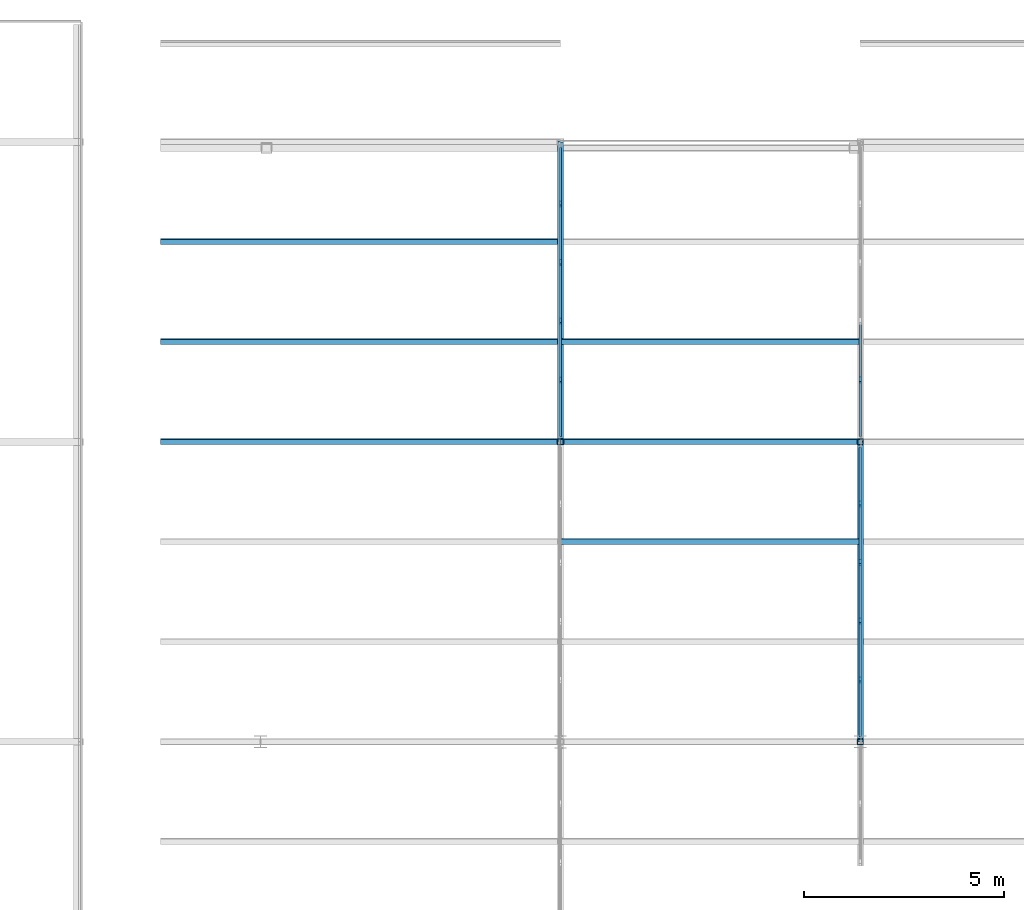
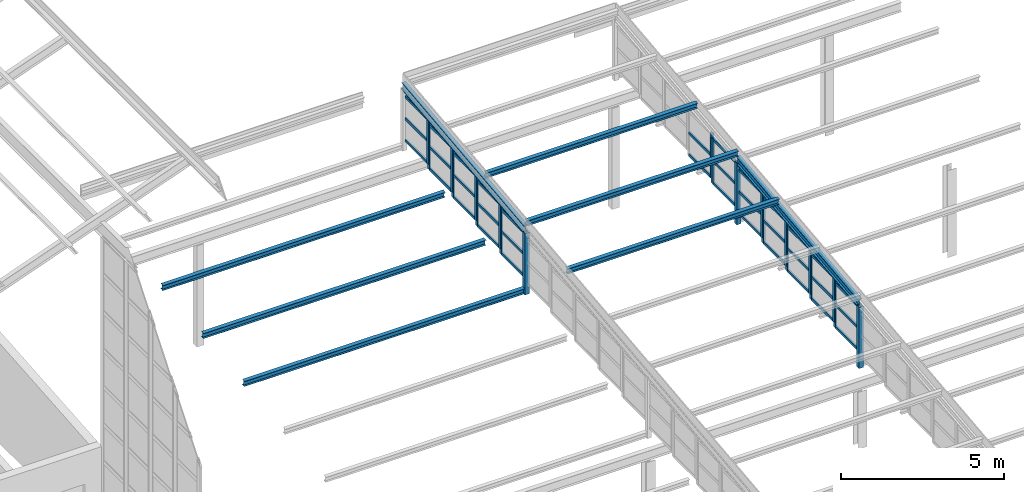
# One storey, part 62 of 483: 62 members, 2 beams, 12 elements without a shape of their own.
"""IFC4 building model written with IfcOpenShell, lengths in metres."""

from ifc_helpers import new_model, si_unit, direction, frame, origin, origin_2d, place, context, subcontext, project, spatial, rectangle, hollow_rectangle, i_section, extrude, material, material_profile, profile_set, type_object, element, aggregate, save


model = new_model("IFC4")

# Units and contexts
model_context = context("Model", 3, precision=1e-05, world=origin(), true_north=direction((0.0, 1.0)))
body_context = subcontext(model_context, "Body", "Model", "MODEL_VIEW")
ifc_project = project(units=[si_unit("LENGTHUNIT", "METRE"), si_unit("AREAUNIT", "SQUARE_METRE"), si_unit("VOLUMEUNIT", "CUBIC_METRE"), si_unit("PLANEANGLEUNIT", "RADIAN"), si_unit("MASSUNIT", "GRAM", prefix="KILO")], contexts=[model_context])

# Site, building, storey
site_placement = place(None, origin())
site = spatial("IfcSite", under=ifc_project, at=site_placement, CompositionType="ELEMENT")
building_placement = place(site_placement, origin())
building = spatial("IfcBuilding", under=site, at=building_placement, Name="Parallax Yard Mobility Hub", CompositionType="ELEMENT")
storey_placement = place(building_placement, frame((0.0, 0.0, 13.199951171875)))
storey = spatial("IfcBuildingStorey", under=building, at=storey_placement, Name="L04", CompositionType="ELEMENT", Elevation=13.199951171875)

# Beams
ifc_material_1 = material(Name="Steel ASTM A992", Category="steel")
ifc_material_profile_1 = material_profile(ifc_material_1, i_section(OverallWidth=0.14794921875, OverallDepth=0.26611328125, WebThickness=0.007568359375, FlangeThickness=0.012939453125, at=origin_2d()), Name="W250x45")
ifc_profile_set_1 = profile_set([ifc_material_profile_1], Name="Steel ASTM A992")
beam_type = type_object("IfcBeamType", Name="Monitor girder W250x45", PredefinedType="BEAM", material=ifc_profile_set_1)
for number, where, z_axis, x_axis, name in (
    (1, (157.5, 45.0146484375, 6.18310546875), (0.0, 0.993884918264, 0.110420873243), (-1.0, 0.0, 0.0), "Monitor girder at x 157.5 bay 6"),
    (2, (165.0, 37.5146484375, 5.349853515625), (0.0, 0.993884918264, 0.110420873243), (-1.0, 0.0, 0.0), "Monitor girder at x 165 bay 5"),
):
    element("IfcBeam", number, at=place(storey_placement, frame(where, z_axis=z_axis, x_axis=x_axis)), inside=storey, type_object=beam_type, Name=name, PredefinedType="BEAM", context=body_context, shape_type="SweptSolid", body=[
        extrude(i_section(OverallWidth=0.14794921875, OverallDepth=0.26611328125, WebThickness=0.007568359375, FlangeThickness=0.012939453125, at=origin_2d()), origin(), (0.0, 0.0, 1.0), 7.546142578125),
    ])

# Members
ifc_material_2 = material(Name="Steel ASTM A500 Gr C", Category="steel")
ifc_material_profile_2 = material_profile(ifc_material_2, hollow_rectangle(XDim=0.15234375, YDim=0.15234375, WallThickness=0.009521484375, at=origin_2d()), Name="HSS152x152x9.5")
ifc_profile_set_2 = profile_set([ifc_material_profile_2], Name="Steel ASTM A500 Gr C")
member_type_1 = type_object("IfcMemberType", Name="Monitor post HSS152x152x9.5", PredefinedType="POST", material=ifc_profile_set_2)
member_1_placement = place(storey_placement, frame((157.5, 45.0, 3.783935546875), z_axis=(0.0, 0.0, 1.0), x_axis=(1.0, 0.0, 0.0)))
element("IfcMember", 3, at=member_1_placement, inside=storey, type_object=member_type_1, Name="Monitor post at x 157.5 y 45", PredefinedType="POST", context=body_context, shape_type="SweptSolid", body=[
    extrude(hollow_rectangle(XDim=0.15234375, YDim=0.15234375, WallThickness=0.009521484375, at=origin_2d()), origin(), (0.0, 0.0, 1.0), 2.29541015625),
])
member_2_placement = place(storey_placement, frame((165.0, 37.5, 2.95068359375), z_axis=(0.0, 0.0, 1.0), x_axis=(1.0, 0.0, 0.0)))
element("IfcMember", 4, at=member_2_placement, inside=storey, type_object=member_type_1, Name="Monitor post at x 165 y 37.5", PredefinedType="POST", context=body_context, shape_type="SweptSolid", body=[
    extrude(hollow_rectangle(XDim=0.15234375, YDim=0.15234375, WallThickness=0.009521484375, at=origin_2d()), origin(), (0.0, 0.0, 1.0), 2.295166015625),
])
member_3_placement = place(storey_placement, frame((165.0, 45.0, 3.783935546875), z_axis=(0.0, 0.0, 1.0), x_axis=(1.0, 0.0, 0.0)))
element("IfcMember", 5, at=member_3_placement, inside=storey, type_object=member_type_1, Name="Monitor post at x 165 y 45", PredefinedType="POST", context=body_context, shape_type="SweptSolid", body=[
    extrude(hollow_rectangle(XDim=0.15234375, YDim=0.15234375, WallThickness=0.009521484375, at=origin_2d()), origin(), (0.0, 0.0, 1.0), 2.29541015625),
])

# Curtain wall, member
ifc_material_3 = material(Name="Thermally broken aluminium curtain wall system", Category="aluminium")
curtain_wall_type = type_object("IfcCurtainWallType", Name="Clerestory glazing run 60 x 120 frame", PredefinedType="NOTDEFINED", material=ifc_material_3)
curtain_wall_1_placement = place(storey_placement, origin())
curtain_wall_1 = element("IfcCurtainWall", 6, at=curtain_wall_1_placement, inside=storey, type_object=curtain_wall_type, Name="Clerestory glazing run Bicycle and shared-mobility hall roof step 1 bay 6 level L02", PredefinedType="NOTDEFINED")
ifc_material_4 = material(Name="Extruded aluminium", Category="aluminium")
ifc_material_profile_3 = material_profile(ifc_material_4, rectangle(XDim=0.06005859375, YDim=0.1201171875, at=origin_2d()), Name="Mullion 60 x 120")
ifc_profile_set_3 = profile_set([ifc_material_profile_3], Name="Extruded aluminium")
member_type_2 = type_object("IfcMemberType", Name="Mullion 60 x 120", PredefinedType="MULLION", material=ifc_profile_set_3)
member_4_placement = place(storey_placement, frame((157.5, 46.515625, 4.35498046875), z_axis=(0.0, 0.0, 1.0), x_axis=(-1.0, 0.0, 0.0)))
member_4 = element("IfcMember", 7, at=member_4_placement, type_object=member_type_2, Name="CW4 mullion 2", PredefinedType="MULLION", context=body_context, shape_type="SweptSolid", body=[
    extrude(rectangle(XDim=0.06005859375, YDim=0.1201171875, at=origin_2d()), origin(), (0.0, 0.0, 1.0), 1.6943359375),
])

# Curtain wall, members
curtain_wall_2_placement = place(storey_placement, origin())
curtain_wall_2 = element("IfcCurtainWall", 8, at=curtain_wall_2_placement, inside=storey, type_object=curtain_wall_type, Name="Clerestory glazing run Bicycle and shared-mobility hall roof step 1 bay 6 level L02", PredefinedType="NOTDEFINED")
member_5_placement = place(storey_placement, frame((157.5, 46.57568359375, 4.518310546875), z_axis=(0.0, 0.0, 1.0), x_axis=(-1.0, 0.0, 0.0)))
member_5 = element("IfcMember", 9, at=member_5_placement, type_object=member_type_2, Name="CW4 mullion 1", PredefinedType="MULLION", context=body_context, shape_type="SweptSolid", body=[
    extrude(rectangle(XDim=0.06005859375, YDim=0.1201171875, at=origin_2d()), origin(), (0.0, 0.0, 1.0), 1.697509765625),
])
member_6_placement = place(storey_placement, frame((157.5, 47.985107421875, 4.518310546875), z_axis=(0.0, 0.0, 1.0), x_axis=(-1.0, 0.0, 0.0)))
member_6 = element("IfcMember", 10, at=member_6_placement, type_object=member_type_2, Name="CW4 mullion 2", PredefinedType="MULLION", context=body_context, shape_type="SweptSolid", body=[
    extrude(rectangle(XDim=0.06005859375, YDim=0.1201171875, at=origin_2d()), origin(), (0.0, 0.0, 1.0), 1.697509765625),
])

curtain_wall_3_placement = place(storey_placement, origin())
curtain_wall_3 = element("IfcCurtainWall", 11, at=curtain_wall_3_placement, inside=storey, type_object=curtain_wall_type, Name="Clerestory glazing run Bicycle and shared-mobility hall roof step 1 bay 6 level L02", PredefinedType="NOTDEFINED")
member_7_placement = place(storey_placement, frame((157.5, 48.045166015625, 4.681396484375), z_axis=(0.0, 0.0, 1.0), x_axis=(-1.0, 0.0, 0.0)))
member_7 = element("IfcMember", 12, at=member_7_placement, type_object=member_type_2, Name="CW4 mullion 1", PredefinedType="MULLION", context=body_context, shape_type="SweptSolid", body=[
    extrude(rectangle(XDim=0.06005859375, YDim=0.1201171875, at=origin_2d()), origin(), (0.0, 0.0, 1.0), 1.701171875),
])
member_8_placement = place(storey_placement, frame((157.5, 49.454833984375, 4.681396484375), z_axis=(0.0, 0.0, 1.0), x_axis=(-1.0, 0.0, 0.0)))
member_8 = element("IfcMember", 13, at=member_8_placement, type_object=member_type_2, Name="CW4 mullion 2", PredefinedType="MULLION", context=body_context, shape_type="SweptSolid", body=[
    extrude(rectangle(XDim=0.06005859375, YDim=0.1201171875, at=origin_2d()), origin(), (0.0, 0.0, 1.0), 1.701171875),
])

curtain_wall_4_placement = place(storey_placement, origin())
curtain_wall_4 = element("IfcCurtainWall", 14, at=curtain_wall_4_placement, inside=storey, type_object=curtain_wall_type, Name="Clerestory glazing run Bicycle and shared-mobility hall roof step 1 bay 6 level L02", PredefinedType="NOTDEFINED")
member_9_placement = place(storey_placement, frame((157.5, 49.514892578125, 4.8447265625), z_axis=(0.0, 0.0, 1.0), x_axis=(-1.0, 0.0, 0.0)))
member_9 = element("IfcMember", 15, at=member_9_placement, type_object=member_type_2, Name="CW4 mullion 1", PredefinedType="MULLION", context=body_context, shape_type="SweptSolid", body=[
    extrude(rectangle(XDim=0.06005859375, YDim=0.1201171875, at=origin_2d()), origin(), (0.0, 0.0, 1.0), 1.693359375),
])
member_10_placement = place(storey_placement, frame((157.5, 50.92431640625, 4.8447265625), z_axis=(0.0, 0.0, 1.0), x_axis=(-1.0, 0.0, 0.0)))
member_10 = element("IfcMember", 16, at=member_10_placement, type_object=member_type_2, Name="CW4 mullion 2", PredefinedType="MULLION", context=body_context, shape_type="SweptSolid", body=[
    extrude(rectangle(XDim=0.06005859375, YDim=0.1201171875, at=origin_2d()), origin(), (0.0, 0.0, 1.0), 1.693359375),
])

# Curtain wall, member
curtain_wall_5_placement = place(storey_placement, origin())
curtain_wall_5 = element("IfcCurtainWall", 17, at=curtain_wall_5_placement, inside=storey, type_object=curtain_wall_type, Name="Clerestory glazing run Bicycle and shared-mobility hall roof step 1 bay 6 level L02", PredefinedType="NOTDEFINED")
member_11_placement = place(storey_placement, frame((157.5, 50.984375, 5.008056640625), z_axis=(0.0, 0.0, 1.0), x_axis=(-1.0, 0.0, 0.0)))
member_11 = element("IfcMember", 18, at=member_11_placement, type_object=member_type_2, Name="CW4 mullion 1", PredefinedType="MULLION", context=body_context, shape_type="SweptSolid", body=[
    extrude(rectangle(XDim=0.06005859375, YDim=0.1201171875, at=origin_2d()), origin(), (0.0, 0.0, 1.0), 1.69677734375),
])

curtain_wall_6_placement = place(storey_placement, origin())
curtain_wall_6 = element("IfcCurtainWall", 19, at=curtain_wall_6_placement, inside=storey, type_object=curtain_wall_type, Name="Clerestory glazing run Bicycle and shared-mobility hall roof step 2 bay 5 level L02", PredefinedType="NOTDEFINED")
member_12_placement = place(storey_placement, frame((165.0, 39.015625, 3.521728515625), z_axis=(0.0, 0.0, 1.0), x_axis=(-1.0, 0.0, 0.0)))
member_12 = element("IfcMember", 20, at=member_12_placement, type_object=member_type_2, Name="CW4 mullion 2", PredefinedType="MULLION", context=body_context, shape_type="SweptSolid", body=[
    extrude(rectangle(XDim=0.06005859375, YDim=0.1201171875, at=origin_2d()), origin(), (0.0, 0.0, 1.0), 1.6943359375),
])

# Curtain wall, members
curtain_wall_7_placement = place(storey_placement, origin())
curtain_wall_7 = element("IfcCurtainWall", 21, at=curtain_wall_7_placement, inside=storey, type_object=curtain_wall_type, Name="Clerestory glazing run Bicycle and shared-mobility hall roof step 2 bay 5 level L02", PredefinedType="NOTDEFINED")
member_13_placement = place(storey_placement, frame((165.0, 39.07568359375, 3.684814453125), z_axis=(0.0, 0.0, 1.0), x_axis=(-1.0, 0.0, 0.0)))
member_13 = element("IfcMember", 22, at=member_13_placement, type_object=member_type_2, Name="CW4 mullion 1", PredefinedType="MULLION", context=body_context, shape_type="SweptSolid", body=[
    extrude(rectangle(XDim=0.06005859375, YDim=0.1201171875, at=origin_2d()), origin(), (0.0, 0.0, 1.0), 1.69775390625),
])
member_14_placement = place(storey_placement, frame((165.0, 40.485107421875, 3.684814453125), z_axis=(0.0, 0.0, 1.0), x_axis=(-1.0, 0.0, 0.0)))
member_14 = element("IfcMember", 23, at=member_14_placement, type_object=member_type_2, Name="CW4 mullion 2", PredefinedType="MULLION", context=body_context, shape_type="SweptSolid", body=[
    extrude(rectangle(XDim=0.06005859375, YDim=0.1201171875, at=origin_2d()), origin(), (0.0, 0.0, 1.0), 1.69775390625),
])

curtain_wall_8_placement = place(storey_placement, origin())
curtain_wall_8 = element("IfcCurtainWall", 24, at=curtain_wall_8_placement, inside=storey, type_object=curtain_wall_type, Name="Clerestory glazing run Bicycle and shared-mobility hall roof step 2 bay 5 level L02", PredefinedType="NOTDEFINED")
member_15_placement = place(storey_placement, frame((165.0, 40.545166015625, 3.84814453125), z_axis=(0.0, 0.0, 1.0), x_axis=(-1.0, 0.0, 0.0)))
member_15 = element("IfcMember", 25, at=member_15_placement, type_object=member_type_2, Name="CW4 mullion 1", PredefinedType="MULLION", context=body_context, shape_type="SweptSolid", body=[
    extrude(rectangle(XDim=0.06005859375, YDim=0.1201171875, at=origin_2d()), origin(), (0.0, 0.0, 1.0), 1.701171875),
])
member_16_placement = place(storey_placement, frame((165.0, 41.954833984375, 3.84814453125), z_axis=(0.0, 0.0, 1.0), x_axis=(-1.0, 0.0, 0.0)))
member_16 = element("IfcMember", 26, at=member_16_placement, type_object=member_type_2, Name="CW4 mullion 2", PredefinedType="MULLION", context=body_context, shape_type="SweptSolid", body=[
    extrude(rectangle(XDim=0.06005859375, YDim=0.1201171875, at=origin_2d()), origin(), (0.0, 0.0, 1.0), 1.701171875),
])

curtain_wall_9_placement = place(storey_placement, origin())
curtain_wall_9 = element("IfcCurtainWall", 27, at=curtain_wall_9_placement, inside=storey, type_object=curtain_wall_type, Name="Clerestory glazing run Bicycle and shared-mobility hall roof step 2 bay 5 level L02", PredefinedType="NOTDEFINED")
member_17_placement = place(storey_placement, frame((165.0, 42.014892578125, 4.011474609375), z_axis=(0.0, 0.0, 1.0), x_axis=(-1.0, 0.0, 0.0)))
member_17 = element("IfcMember", 28, at=member_17_placement, type_object=member_type_2, Name="CW4 mullion 1", PredefinedType="MULLION", context=body_context, shape_type="SweptSolid", body=[
    extrude(rectangle(XDim=0.06005859375, YDim=0.1201171875, at=origin_2d()), origin(), (0.0, 0.0, 1.0), 1.693359375),
])
member_18_placement = place(storey_placement, frame((165.0, 43.42431640625, 4.011474609375), z_axis=(0.0, 0.0, 1.0), x_axis=(-1.0, 0.0, 0.0)))
member_18 = element("IfcMember", 29, at=member_18_placement, type_object=member_type_2, Name="CW4 mullion 2", PredefinedType="MULLION", context=body_context, shape_type="SweptSolid", body=[
    extrude(rectangle(XDim=0.06005859375, YDim=0.1201171875, at=origin_2d()), origin(), (0.0, 0.0, 1.0), 1.693359375),
])

# Curtain wall, member
curtain_wall_10_placement = place(storey_placement, origin())
curtain_wall_10 = element("IfcCurtainWall", 30, at=curtain_wall_10_placement, inside=storey, type_object=curtain_wall_type, Name="Clerestory glazing run Bicycle and shared-mobility hall roof step 2 bay 5 level L02", PredefinedType="NOTDEFINED")
member_19_placement = place(storey_placement, frame((165.0, 43.484375, 4.1748046875), z_axis=(0.0, 0.0, 1.0), x_axis=(-1.0, 0.0, 0.0)))
member_19 = element("IfcMember", 31, at=member_19_placement, type_object=member_type_2, Name="CW4 mullion 1", PredefinedType="MULLION", context=body_context, shape_type="SweptSolid", body=[
    extrude(rectangle(XDim=0.06005859375, YDim=0.1201171875, at=origin_2d()), origin(), (0.0, 0.0, 1.0), 1.696533203125),
])

curtain_wall_11_placement = place(storey_placement, origin())
curtain_wall_11 = element("IfcCurtainWall", 32, at=curtain_wall_11_placement, inside=storey, type_object=curtain_wall_type, Name="Clerestory glazing run Bicycle and shared-mobility hall roof step 2 bay 6 level L02", PredefinedType="NOTDEFINED")
member_20_placement = place(storey_placement, frame((165.0, 46.515625, 4.35498046875), z_axis=(0.0, 0.0, 1.0), x_axis=(-1.0, 0.0, 0.0)))
member_20 = element("IfcMember", 33, at=member_20_placement, type_object=member_type_2, Name="CW4 mullion 2", PredefinedType="MULLION", context=body_context, shape_type="SweptSolid", body=[
    extrude(rectangle(XDim=0.06005859375, YDim=0.1201171875, at=origin_2d()), origin(), (0.0, 0.0, 1.0), 1.6943359375),
])

curtain_wall_12_placement = place(storey_placement, origin())
curtain_wall_12 = element("IfcCurtainWall", 34, at=curtain_wall_12_placement, inside=storey, type_object=curtain_wall_type, Name="Clerestory glazing run Bicycle and shared-mobility hall roof step 2 bay 6 level L02", PredefinedType="NOTDEFINED")
member_21_placement = place(storey_placement, frame((165.0, 46.57568359375, 4.518310546875), z_axis=(0.0, 0.0, 1.0), x_axis=(-1.0, 0.0, 0.0)))
member_21 = element("IfcMember", 35, at=member_21_placement, type_object=member_type_2, Name="CW4 mullion 1", PredefinedType="MULLION", context=body_context, shape_type="SweptSolid", body=[
    extrude(rectangle(XDim=0.06005859375, YDim=0.1201171875, at=origin_2d()), origin(), (0.0, 0.0, 1.0), 1.697509765625),
])

# Members
ifc_material_profile_4 = material_profile(ifc_material_1, i_section(OverallWidth=0.133056640625, OverallDepth=0.20703125, WebThickness=0.005859375, FlangeThickness=0.00830078125, at=origin_2d()), Name="W200x27")
ifc_profile_set_4 = profile_set([ifc_material_profile_4], Name="Steel ASTM A992")
member_type_3 = type_object("IfcMemberType", Name="Roof purlin W200x27", PredefinedType="PURLIN", material=ifc_profile_set_4)
for number, where, z_axis, x_axis, name in (
    (36, (147.5, 45.011474609375, 3.91943359375), (1.0, 0.0, 0.0), (0.0, 0.993883718765, 0.110431669255), "Roof purlin west of the monitor at y 45"),
    (37, (147.5, 47.511474609375, 4.197265625), (1.0, 0.0, 0.0), (0.0, 0.993883718765, 0.110431669255), "Roof purlin west of the monitor at y 47.5"),
    (38, (147.5, 50.011474609375, 4.474853515625), (1.0, 0.0, 0.0), (0.0, 0.993883718765, 0.110431669255), "Roof purlin west of the monitor at y 50"),
):
    element("IfcMember", number, at=place(storey_placement, frame(where, z_axis=z_axis, x_axis=x_axis)), inside=storey, type_object=member_type_3, Name=name, PredefinedType="PURLIN", context=body_context, shape_type="SweptSolid", body=[
        extrude(i_section(OverallWidth=0.133056640625, OverallDepth=0.20703125, WebThickness=0.005859375, FlangeThickness=0.00830078125, at=origin_2d()), origin(), (0.0, 0.0, 1.0), 10.0),
    ])
for number, where, z_axis, x_axis, name in (
    (39, (157.5, 42.511474609375, 6.1416015625), (1.0, 0.0, 0.0), (0.0, 0.993883718765, 0.110431669255), "Monitor purlin at y 42.5"),
    (40, (157.5, 45.011474609375, 6.41943359375), (1.0, 0.0, 0.0), (0.0, 0.993883718765, 0.110431669255), "Monitor purlin at y 45"),
    (41, (157.5, 47.511474609375, 6.697265625), (1.0, 0.0, 0.0), (0.0, 0.993883718765, 0.110431669255), "Monitor purlin at y 47.5"),
):
    element("IfcMember", number, at=place(storey_placement, frame(where, z_axis=z_axis, x_axis=x_axis)), inside=storey, type_object=member_type_3, Name=name, PredefinedType="PURLIN", context=body_context, shape_type="SweptSolid", body=[
        extrude(i_section(OverallWidth=0.133056640625, OverallDepth=0.20703125, WebThickness=0.005859375, FlangeThickness=0.00830078125, at=origin_2d()), origin(), (0.0, 0.0, 1.0), 7.5),
    ])

# Member
ifc_material_profile_5 = material_profile(ifc_material_4, rectangle(XDim=0.06005859375, YDim=0.10009765625, at=origin_2d()), Name="Transom 60 x 100")
ifc_profile_set_5 = profile_set([ifc_material_profile_5], Name="Extruded aluminium")
member_type_4 = type_object("IfcMemberType", Name="Transom 60 x 100", PredefinedType="USERDEFINED", material=ifc_profile_set_5)
member_22_placement = place(storey_placement, frame((157.5, 45.13623046875, 4.385009765625), z_axis=(0.0, 1.0, 0.0), x_axis=(-1.0, 0.0, 0.0)))
member_22 = element("IfcMember", 42, at=member_22_placement, type_object=member_type_4, Name="CW4 transom 1.1", ObjectType="TRANSOM", PredefinedType="USERDEFINED", context=body_context, shape_type="SweptSolid", body=[
    extrude(rectangle(XDim=0.06005859375, YDim=0.10009765625, at=origin_2d()), origin(), (0.0, 0.0, 1.0), 1.349365234375),
])

member_23_placement = place(storey_placement, frame((157.5, 45.13623046875, 5.2021484375), z_axis=(0.0, 1.0, 0.0), x_axis=(-1.0, 0.0, 0.0)))
member_23 = element("IfcMember", 43, at=member_23_placement, type_object=member_type_4, Name="CW4 transom 1.2", ObjectType="TRANSOM", PredefinedType="USERDEFINED", context=body_context, shape_type="SweptSolid", body=[
    extrude(rectangle(XDim=0.06005859375, YDim=0.10009765625, at=origin_2d()), origin(), (0.0, 0.0, 1.0), 1.349365234375),
])

member_24_placement = place(storey_placement, frame((157.5, 45.13623046875, 6.019287109375), z_axis=(0.0, 1.0, 0.0), x_axis=(-1.0, 0.0, 0.0)))
member_24 = element("IfcMember", 44, at=member_24_placement, type_object=member_type_4, Name="CW4 transom 1.3", ObjectType="TRANSOM", PredefinedType="USERDEFINED", context=body_context, shape_type="SweptSolid", body=[
    extrude(rectangle(XDim=0.06005859375, YDim=0.10009765625, at=origin_2d()), origin(), (0.0, 0.0, 1.0), 1.349365234375),
])

aggregate(curtain_wall_1, [member_4, member_22, member_23, member_24])

member_25_placement = place(storey_placement, frame((157.5, 46.605712890625, 4.54833984375), z_axis=(0.0, 1.0, 0.0), x_axis=(-1.0, 0.0, 0.0)))
member_25 = element("IfcMember", 45, at=member_25_placement, type_object=member_type_4, Name="CW4 transom 1.1", ObjectType="TRANSOM", PredefinedType="USERDEFINED", context=body_context, shape_type="SweptSolid", body=[
    extrude(rectangle(XDim=0.06005859375, YDim=0.10009765625, at=origin_2d()), origin(), (0.0, 0.0, 1.0), 1.349365234375),
])

member_26_placement = place(storey_placement, frame((157.5, 46.605712890625, 5.366943359375), z_axis=(0.0, 1.0, 0.0), x_axis=(-1.0, 0.0, 0.0)))
member_26 = element("IfcMember", 46, at=member_26_placement, type_object=member_type_4, Name="CW4 transom 1.2", ObjectType="TRANSOM", PredefinedType="USERDEFINED", context=body_context, shape_type="SweptSolid", body=[
    extrude(rectangle(XDim=0.06005859375, YDim=0.10009765625, at=origin_2d()), origin(), (0.0, 0.0, 1.0), 1.349365234375),
])

member_27_placement = place(storey_placement, frame((157.5, 46.605712890625, 6.185791015625), z_axis=(0.0, 1.0, 0.0), x_axis=(-1.0, 0.0, 0.0)))
member_27 = element("IfcMember", 47, at=member_27_placement, type_object=member_type_4, Name="CW4 transom 1.3", ObjectType="TRANSOM", PredefinedType="USERDEFINED", context=body_context, shape_type="SweptSolid", body=[
    extrude(rectangle(XDim=0.06005859375, YDim=0.10009765625, at=origin_2d()), origin(), (0.0, 0.0, 1.0), 1.349365234375),
])

aggregate(curtain_wall_2, [member_5, member_6, member_25, member_26, member_27])

member_28_placement = place(storey_placement, frame((157.5, 48.0751953125, 4.71142578125), z_axis=(0.0, 1.0, 0.0), x_axis=(-1.0, 0.0, 0.0)))
member_28 = element("IfcMember", 48, at=member_28_placement, type_object=member_type_4, Name="CW4 transom 1.1", ObjectType="TRANSOM", PredefinedType="USERDEFINED", context=body_context, shape_type="SweptSolid", body=[
    extrude(rectangle(XDim=0.06005859375, YDim=0.10009765625, at=origin_2d()), origin(), (0.0, 0.0, 1.0), 1.349609375),
])

member_29_placement = place(storey_placement, frame((157.5, 48.0751953125, 5.531982421875), z_axis=(0.0, 1.0, 0.0), x_axis=(-1.0, 0.0, 0.0)))
member_29 = element("IfcMember", 49, at=member_29_placement, type_object=member_type_4, Name="CW4 transom 1.2", ObjectType="TRANSOM", PredefinedType="USERDEFINED", context=body_context, shape_type="SweptSolid", body=[
    extrude(rectangle(XDim=0.06005859375, YDim=0.10009765625, at=origin_2d()), origin(), (0.0, 0.0, 1.0), 1.349609375),
])

member_30_placement = place(storey_placement, frame((157.5, 48.0751953125, 6.3525390625), z_axis=(0.0, 1.0, 0.0), x_axis=(-1.0, 0.0, 0.0)))
member_30 = element("IfcMember", 50, at=member_30_placement, type_object=member_type_4, Name="CW4 transom 1.3", ObjectType="TRANSOM", PredefinedType="USERDEFINED", context=body_context, shape_type="SweptSolid", body=[
    extrude(rectangle(XDim=0.06005859375, YDim=0.10009765625, at=origin_2d()), origin(), (0.0, 0.0, 1.0), 1.349609375),
])

aggregate(curtain_wall_3, [member_7, member_8, member_28, member_29, member_30])

member_31_placement = place(storey_placement, frame((157.5, 49.544921875, 4.874755859375), z_axis=(0.0, 1.0, 0.0), x_axis=(-1.0, 0.0, 0.0)))
member_31 = element("IfcMember", 51, at=member_31_placement, type_object=member_type_4, Name="CW4 transom 1.1", ObjectType="TRANSOM", PredefinedType="USERDEFINED", context=body_context, shape_type="SweptSolid", body=[
    extrude(rectangle(XDim=0.06005859375, YDim=0.10009765625, at=origin_2d()), origin(), (0.0, 0.0, 1.0), 1.349365234375),
])

member_32_placement = place(storey_placement, frame((157.5, 49.544921875, 5.69140625), z_axis=(0.0, 1.0, 0.0), x_axis=(-1.0, 0.0, 0.0)))
member_32 = element("IfcMember", 52, at=member_32_placement, type_object=member_type_4, Name="CW4 transom 1.2", ObjectType="TRANSOM", PredefinedType="USERDEFINED", context=body_context, shape_type="SweptSolid", body=[
    extrude(rectangle(XDim=0.06005859375, YDim=0.10009765625, at=origin_2d()), origin(), (0.0, 0.0, 1.0), 1.349365234375),
])

member_33_placement = place(storey_placement, frame((157.5, 49.544921875, 6.508056640625), z_axis=(0.0, 1.0, 0.0), x_axis=(-1.0, 0.0, 0.0)))
member_33 = element("IfcMember", 53, at=member_33_placement, type_object=member_type_4, Name="CW4 transom 1.3", ObjectType="TRANSOM", PredefinedType="USERDEFINED", context=body_context, shape_type="SweptSolid", body=[
    extrude(rectangle(XDim=0.06005859375, YDim=0.10009765625, at=origin_2d()), origin(), (0.0, 0.0, 1.0), 1.349365234375),
])

aggregate(curtain_wall_4, [member_9, member_10, member_31, member_32, member_33])

member_34_placement = place(storey_placement, frame((157.5, 51.014404296875, 5.0380859375), z_axis=(0.0, 1.0, 0.0), x_axis=(-1.0, 0.0, 0.0)))
member_34 = element("IfcMember", 54, at=member_34_placement, type_object=member_type_4, Name="CW4 transom 1.1", ObjectType="TRANSOM", PredefinedType="USERDEFINED", context=body_context, shape_type="SweptSolid", body=[
    extrude(rectangle(XDim=0.06005859375, YDim=0.10009765625, at=origin_2d()), origin(), (0.0, 0.0, 1.0), 1.349365234375),
])

member_35_placement = place(storey_placement, frame((157.5, 51.014404296875, 5.8564453125), z_axis=(0.0, 1.0, 0.0), x_axis=(-1.0, 0.0, 0.0)))
member_35 = element("IfcMember", 55, at=member_35_placement, type_object=member_type_4, Name="CW4 transom 1.2", ObjectType="TRANSOM", PredefinedType="USERDEFINED", context=body_context, shape_type="SweptSolid", body=[
    extrude(rectangle(XDim=0.06005859375, YDim=0.10009765625, at=origin_2d()), origin(), (0.0, 0.0, 1.0), 1.349365234375),
])

member_36_placement = place(storey_placement, frame((157.5, 51.014404296875, 6.6748046875), z_axis=(0.0, 1.0, 0.0), x_axis=(-1.0, 0.0, 0.0)))
member_36 = element("IfcMember", 56, at=member_36_placement, type_object=member_type_4, Name="CW4 transom 1.3", ObjectType="TRANSOM", PredefinedType="USERDEFINED", context=body_context, shape_type="SweptSolid", body=[
    extrude(rectangle(XDim=0.06005859375, YDim=0.10009765625, at=origin_2d()), origin(), (0.0, 0.0, 1.0), 1.349365234375),
])

aggregate(curtain_wall_5, [member_11, member_34, member_35, member_36])

member_37_placement = place(storey_placement, frame((165.0, 37.63623046875, 3.5517578125), z_axis=(0.0, 1.0, 0.0), x_axis=(-1.0, 0.0, 0.0)))
member_37 = element("IfcMember", 57, at=member_37_placement, type_object=member_type_4, Name="CW4 transom 1.1", ObjectType="TRANSOM", PredefinedType="USERDEFINED", context=body_context, shape_type="SweptSolid", body=[
    extrude(rectangle(XDim=0.06005859375, YDim=0.10009765625, at=origin_2d()), origin(), (0.0, 0.0, 1.0), 1.349365234375),
])

member_38_placement = place(storey_placement, frame((165.0, 37.63623046875, 4.368896484375), z_axis=(0.0, 1.0, 0.0), x_axis=(-1.0, 0.0, 0.0)))
member_38 = element("IfcMember", 58, at=member_38_placement, type_object=member_type_4, Name="CW4 transom 1.2", ObjectType="TRANSOM", PredefinedType="USERDEFINED", context=body_context, shape_type="SweptSolid", body=[
    extrude(rectangle(XDim=0.06005859375, YDim=0.10009765625, at=origin_2d()), origin(), (0.0, 0.0, 1.0), 1.349365234375),
])

member_39_placement = place(storey_placement, frame((165.0, 37.63623046875, 5.18603515625), z_axis=(0.0, 1.0, 0.0), x_axis=(-1.0, 0.0, 0.0)))
member_39 = element("IfcMember", 59, at=member_39_placement, type_object=member_type_4, Name="CW4 transom 1.3", ObjectType="TRANSOM", PredefinedType="USERDEFINED", context=body_context, shape_type="SweptSolid", body=[
    extrude(rectangle(XDim=0.06005859375, YDim=0.10009765625, at=origin_2d()), origin(), (0.0, 0.0, 1.0), 1.349365234375),
])

aggregate(curtain_wall_6, [member_12, member_37, member_38, member_39])

member_40_placement = place(storey_placement, frame((165.0, 39.105712890625, 3.71484375), z_axis=(0.0, 1.0, 0.0), x_axis=(-1.0, 0.0, 0.0)))
member_40 = element("IfcMember", 60, at=member_40_placement, type_object=member_type_4, Name="CW4 transom 1.1", ObjectType="TRANSOM", PredefinedType="USERDEFINED", context=body_context, shape_type="SweptSolid", body=[
    extrude(rectangle(XDim=0.06005859375, YDim=0.10009765625, at=origin_2d()), origin(), (0.0, 0.0, 1.0), 1.349365234375),
])

member_41_placement = place(storey_placement, frame((165.0, 39.105712890625, 4.53369140625), z_axis=(0.0, 1.0, 0.0), x_axis=(-1.0, 0.0, 0.0)))
member_41 = element("IfcMember", 61, at=member_41_placement, type_object=member_type_4, Name="CW4 transom 1.2", ObjectType="TRANSOM", PredefinedType="USERDEFINED", context=body_context, shape_type="SweptSolid", body=[
    extrude(rectangle(XDim=0.06005859375, YDim=0.10009765625, at=origin_2d()), origin(), (0.0, 0.0, 1.0), 1.349365234375),
])

member_42_placement = place(storey_placement, frame((165.0, 39.105712890625, 5.3525390625), z_axis=(0.0, 1.0, 0.0), x_axis=(-1.0, 0.0, 0.0)))
member_42 = element("IfcMember", 62, at=member_42_placement, type_object=member_type_4, Name="CW4 transom 1.3", ObjectType="TRANSOM", PredefinedType="USERDEFINED", context=body_context, shape_type="SweptSolid", body=[
    extrude(rectangle(XDim=0.06005859375, YDim=0.10009765625, at=origin_2d()), origin(), (0.0, 0.0, 1.0), 1.349365234375),
])

aggregate(curtain_wall_7, [member_13, member_14, member_40, member_41, member_42])

member_43_placement = place(storey_placement, frame((165.0, 40.5751953125, 3.878173828125), z_axis=(0.0, 1.0, 0.0), x_axis=(-1.0, 0.0, 0.0)))
member_43 = element("IfcMember", 63, at=member_43_placement, type_object=member_type_4, Name="CW4 transom 1.1", ObjectType="TRANSOM", PredefinedType="USERDEFINED", context=body_context, shape_type="SweptSolid", body=[
    extrude(rectangle(XDim=0.06005859375, YDim=0.10009765625, at=origin_2d()), origin(), (0.0, 0.0, 1.0), 1.349609375),
])

member_44_placement = place(storey_placement, frame((165.0, 40.5751953125, 4.69873046875), z_axis=(0.0, 1.0, 0.0), x_axis=(-1.0, 0.0, 0.0)))
member_44 = element("IfcMember", 64, at=member_44_placement, type_object=member_type_4, Name="CW4 transom 1.2", ObjectType="TRANSOM", PredefinedType="USERDEFINED", context=body_context, shape_type="SweptSolid", body=[
    extrude(rectangle(XDim=0.06005859375, YDim=0.10009765625, at=origin_2d()), origin(), (0.0, 0.0, 1.0), 1.349609375),
])

member_45_placement = place(storey_placement, frame((165.0, 40.5751953125, 5.519287109375), z_axis=(0.0, 1.0, 0.0), x_axis=(-1.0, 0.0, 0.0)))
member_45 = element("IfcMember", 65, at=member_45_placement, type_object=member_type_4, Name="CW4 transom 1.3", ObjectType="TRANSOM", PredefinedType="USERDEFINED", context=body_context, shape_type="SweptSolid", body=[
    extrude(rectangle(XDim=0.06005859375, YDim=0.10009765625, at=origin_2d()), origin(), (0.0, 0.0, 1.0), 1.349609375),
])

aggregate(curtain_wall_8, [member_15, member_16, member_43, member_44, member_45])

member_46_placement = place(storey_placement, frame((165.0, 42.044921875, 4.04150390625), z_axis=(0.0, 1.0, 0.0), x_axis=(-1.0, 0.0, 0.0)))
member_46 = element("IfcMember", 66, at=member_46_placement, type_object=member_type_4, Name="CW4 transom 1.1", ObjectType="TRANSOM", PredefinedType="USERDEFINED", context=body_context, shape_type="SweptSolid", body=[
    extrude(rectangle(XDim=0.06005859375, YDim=0.10009765625, at=origin_2d()), origin(), (0.0, 0.0, 1.0), 1.349365234375),
])

member_47_placement = place(storey_placement, frame((165.0, 42.044921875, 4.858154296875), z_axis=(0.0, 1.0, 0.0), x_axis=(-1.0, 0.0, 0.0)))
member_47 = element("IfcMember", 67, at=member_47_placement, type_object=member_type_4, Name="CW4 transom 1.2", ObjectType="TRANSOM", PredefinedType="USERDEFINED", context=body_context, shape_type="SweptSolid", body=[
    extrude(rectangle(XDim=0.06005859375, YDim=0.10009765625, at=origin_2d()), origin(), (0.0, 0.0, 1.0), 1.349365234375),
])

member_48_placement = place(storey_placement, frame((165.0, 42.044921875, 5.6748046875), z_axis=(0.0, 1.0, 0.0), x_axis=(-1.0, 0.0, 0.0)))
member_48 = element("IfcMember", 68, at=member_48_placement, type_object=member_type_4, Name="CW4 transom 1.3", ObjectType="TRANSOM", PredefinedType="USERDEFINED", context=body_context, shape_type="SweptSolid", body=[
    extrude(rectangle(XDim=0.06005859375, YDim=0.10009765625, at=origin_2d()), origin(), (0.0, 0.0, 1.0), 1.349365234375),
])

aggregate(curtain_wall_9, [member_17, member_18, member_46, member_47, member_48])

member_49_placement = place(storey_placement, frame((165.0, 43.514404296875, 4.204833984375), z_axis=(0.0, 1.0, 0.0), x_axis=(-1.0, 0.0, 0.0)))
member_49 = element("IfcMember", 69, at=member_49_placement, type_object=member_type_4, Name="CW4 transom 1.1", ObjectType="TRANSOM", PredefinedType="USERDEFINED", context=body_context, shape_type="SweptSolid", body=[
    extrude(rectangle(XDim=0.06005859375, YDim=0.10009765625, at=origin_2d()), origin(), (0.0, 0.0, 1.0), 1.349365234375),
])

member_50_placement = place(storey_placement, frame((165.0, 43.514404296875, 5.023193359375), z_axis=(0.0, 1.0, 0.0), x_axis=(-1.0, 0.0, 0.0)))
member_50 = element("IfcMember", 70, at=member_50_placement, type_object=member_type_4, Name="CW4 transom 1.2", ObjectType="TRANSOM", PredefinedType="USERDEFINED", context=body_context, shape_type="SweptSolid", body=[
    extrude(rectangle(XDim=0.06005859375, YDim=0.10009765625, at=origin_2d()), origin(), (0.0, 0.0, 1.0), 1.349365234375),
])

member_51_placement = place(storey_placement, frame((165.0, 43.514404296875, 5.841552734375), z_axis=(0.0, 1.0, 0.0), x_axis=(-1.0, 0.0, 0.0)))
member_51 = element("IfcMember", 71, at=member_51_placement, type_object=member_type_4, Name="CW4 transom 1.3", ObjectType="TRANSOM", PredefinedType="USERDEFINED", context=body_context, shape_type="SweptSolid", body=[
    extrude(rectangle(XDim=0.06005859375, YDim=0.10009765625, at=origin_2d()), origin(), (0.0, 0.0, 1.0), 1.349365234375),
])

aggregate(curtain_wall_10, [member_19, member_49, member_50, member_51])

member_52_placement = place(storey_placement, frame((165.0, 45.13623046875, 4.385009765625), z_axis=(0.0, 1.0, 0.0), x_axis=(-1.0, 0.0, 0.0)))
member_52 = element("IfcMember", 72, at=member_52_placement, type_object=member_type_4, Name="CW4 transom 1.1", ObjectType="TRANSOM", PredefinedType="USERDEFINED", context=body_context, shape_type="SweptSolid", body=[
    extrude(rectangle(XDim=0.06005859375, YDim=0.10009765625, at=origin_2d()), origin(), (0.0, 0.0, 1.0), 1.349365234375),
])

member_53_placement = place(storey_placement, frame((165.0, 45.13623046875, 5.2021484375), z_axis=(0.0, 1.0, 0.0), x_axis=(-1.0, 0.0, 0.0)))
member_53 = element("IfcMember", 73, at=member_53_placement, type_object=member_type_4, Name="CW4 transom 1.2", ObjectType="TRANSOM", PredefinedType="USERDEFINED", context=body_context, shape_type="SweptSolid", body=[
    extrude(rectangle(XDim=0.06005859375, YDim=0.10009765625, at=origin_2d()), origin(), (0.0, 0.0, 1.0), 1.349365234375),
])

member_54_placement = place(storey_placement, frame((165.0, 45.13623046875, 6.019287109375), z_axis=(0.0, 1.0, 0.0), x_axis=(-1.0, 0.0, 0.0)))
member_54 = element("IfcMember", 74, at=member_54_placement, type_object=member_type_4, Name="CW4 transom 1.3", ObjectType="TRANSOM", PredefinedType="USERDEFINED", context=body_context, shape_type="SweptSolid", body=[
    extrude(rectangle(XDim=0.06005859375, YDim=0.10009765625, at=origin_2d()), origin(), (0.0, 0.0, 1.0), 1.349365234375),
])

aggregate(curtain_wall_11, [member_20, member_52, member_53, member_54])

member_55_placement = place(storey_placement, frame((165.0, 46.605712890625, 4.54833984375), z_axis=(0.0, 1.0, 0.0), x_axis=(-1.0, 0.0, 0.0)))
member_55 = element("IfcMember", 75, at=member_55_placement, type_object=member_type_4, Name="CW4 transom 1.1", ObjectType="TRANSOM", PredefinedType="USERDEFINED", context=body_context, shape_type="SweptSolid", body=[
    extrude(rectangle(XDim=0.06005859375, YDim=0.10009765625, at=origin_2d()), origin(), (0.0, 0.0, 1.0), 1.349365234375),
])

member_56_placement = place(storey_placement, frame((165.0, 46.605712890625, 5.366943359375), z_axis=(0.0, 1.0, 0.0), x_axis=(-1.0, 0.0, 0.0)))
member_56 = element("IfcMember", 76, at=member_56_placement, type_object=member_type_4, Name="CW4 transom 1.2", ObjectType="TRANSOM", PredefinedType="USERDEFINED", context=body_context, shape_type="SweptSolid", body=[
    extrude(rectangle(XDim=0.06005859375, YDim=0.10009765625, at=origin_2d()), origin(), (0.0, 0.0, 1.0), 1.349365234375),
])

aggregate(curtain_wall_12, [member_21, member_55, member_56])

save(model, "model.ifc")
